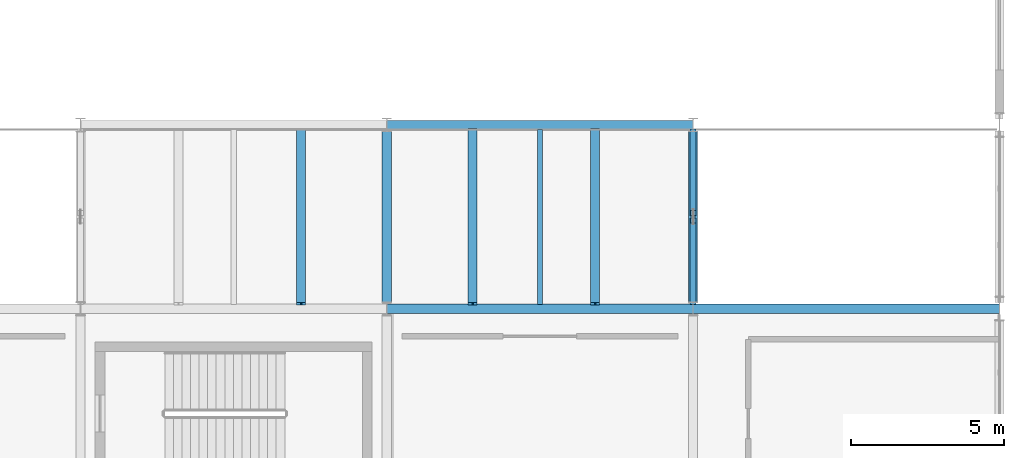
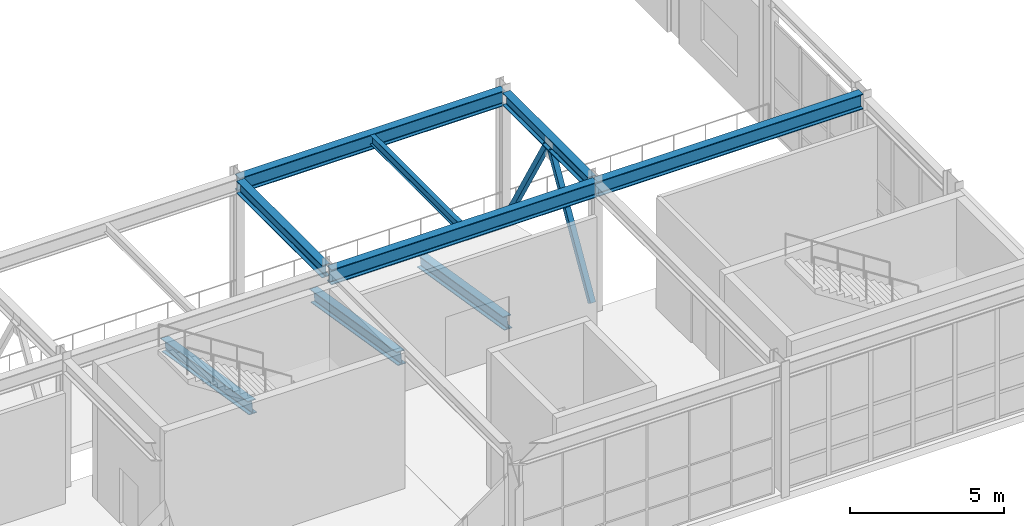
# One storey, part 116 of 210: 9 beams, 2 members.
"""IFC4 building model written with IfcOpenShell, lengths in metres."""

from ifc_helpers import new_model, si_unit, direction, frame, origin, origin_2d, place, context, subcontext, project, spatial, hollow_rectangle, i_section, extrude, material, material_profile, profile_set, type_object, element, save


model = new_model("IFC4")

# Units and contexts
model_context = context("Model", 3, precision=1e-05, world=origin(), true_north=direction((0.0, 1.0)))
body_context = subcontext(model_context, "Body", "Model", "MODEL_VIEW")
ifc_project = project(units=[si_unit("LENGTHUNIT", "METRE"), si_unit("AREAUNIT", "SQUARE_METRE"), si_unit("VOLUMEUNIT", "CUBIC_METRE"), si_unit("PLANEANGLEUNIT", "RADIAN"), si_unit("MASSUNIT", "GRAM", prefix="KILO")], contexts=[model_context])

# Site, building, storey
site_placement = place(None, origin())
site = spatial("IfcSite", under=ifc_project, at=site_placement, CompositionType="ELEMENT")
building_placement = place(site_placement, origin())
building = spatial("IfcBuilding", under=site, at=building_placement, Name="Kaldris Quays Convention Centre", CompositionType="ELEMENT")
storey_placement = place(building_placement, frame((0.0, 0.0, 6.0)))
storey = spatial("IfcBuildingStorey", under=building, at=storey_placement, Name="L01", CompositionType="ELEMENT", Elevation=6.0)

# Beams
ifc_material_1 = material(Name="Steel S355J2", Category="steel")
ifc_material_profile_1 = material_profile(ifc_material_1, i_section(OverallWidth=0.300048828125, OverallDepth=0.60009765625, WebThickness=0.015380859375, FlangeThickness=0.030029296875, FilletRadius=0.027099609375, at=origin_2d()), Name="HEB 600")
ifc_profile_set_1 = profile_set([ifc_material_profile_1], Name="Steel S355J2")
beam_type_1 = type_object("IfcBeamType", Name="STRUCTURAL BEAM BM05", PredefinedType="BEAM", material=ifc_profile_set_1)
beam_1_placement = place(storey_placement, frame((184.0009765625, 68.0, 4.802978515625), z_axis=(1.0, 0.0, 0.0), x_axis=(0.0, 1.0, 0.0)))
element("IfcBeam", 1, at=beam_1_placement, inside=storey, type_object=beam_type_1, Name="L01 Girder BM05 7", PredefinedType="BEAM", context=body_context, shape_type="SweptSolid", body=[
    extrude(i_section(OverallWidth=0.300048828125, OverallDepth=0.60009765625, WebThickness=0.015380859375, FlangeThickness=0.030029296875, FilletRadius=0.027099609375, at=origin_2d()), origin(), (0.0, 0.0, 1.0), 9.998046875),
])
beam_2_placement = place(storey_placement, frame((194.0009765625, 68.0, 4.802978515625), z_axis=(1.0, 0.0, 0.0), x_axis=(0.0, 1.0, 0.0)))
element("IfcBeam", 2, at=beam_2_placement, inside=storey, type_object=beam_type_1, Name="L01 Girder BM05 8", PredefinedType="BEAM", context=body_context, shape_type="SweptSolid", body=[
    extrude(i_section(OverallWidth=0.300048828125, OverallDepth=0.60009765625, WebThickness=0.015380859375, FlangeThickness=0.030029296875, FilletRadius=0.027099609375, at=origin_2d()), origin(), (0.0, 0.0, 1.0), 9.996337890625),
])
beam_3_placement = place(storey_placement, frame((184.0009765625, 74.0, 4.804931640625), z_axis=(1.0, 0.0, 0.0), x_axis=(0.0, 1.0, 0.0)))
element("IfcBeam", 3, at=beam_3_placement, inside=storey, type_object=beam_type_1, Name="L01 Girder BM05 10", PredefinedType="BEAM", context=body_context, shape_type="SweptSolid", body=[
    extrude(i_section(OverallWidth=0.300048828125, OverallDepth=0.60009765625, WebThickness=0.015380859375, FlangeThickness=0.030029296875, FilletRadius=0.027099609375, at=origin_2d()), origin(), (0.0, 0.0, 1.0), 9.998046875),
])
ifc_material_profile_2 = material_profile(ifc_material_1, i_section(OverallWidth=0.300048828125, OverallDepth=0.5, WebThickness=0.014404296875, FlangeThickness=0.028076171875, FilletRadius=0.027099609375, at=origin_2d()), Name="HEB 500")
ifc_profile_set_2 = profile_set([ifc_material_profile_2], Name="Steel S355J2")
beam_type_2 = type_object("IfcBeamType", Name="STRUCTURAL BEAM BM06", PredefinedType="BEAM", material=ifc_profile_set_2)
for number, where, z_axis, x_axis, name in (
    (4, (184.0, 68.218994140625, 4.85498046875), (0.0, 1.0, 0.0), (-1.0, 0.0, 0.0), "L01 Girder BM06 16"),
    (5, (194.0, 68.218994140625, 4.85498046875), (0.0, 1.0, 0.0), (-1.0, 0.0, 0.0), "L01 Girder BM06 18"),
):
    element("IfcBeam", number, at=place(storey_placement, frame(where, z_axis=z_axis, x_axis=x_axis)), inside=storey, type_object=beam_type_2, Name=name, PredefinedType="BEAM", context=body_context, shape_type="SweptSolid", body=[
        extrude(i_section(OverallWidth=0.300048828125, OverallDepth=0.5, WebThickness=0.014404296875, FlangeThickness=0.028076171875, FilletRadius=0.027099609375, at=origin_2d()), origin(), (0.0, 0.0, 1.0), 5.56201171875),
    ])
ifc_material_profile_3 = material_profile(ifc_material_1, i_section(OverallWidth=0.169921875, OverallDepth=0.360107421875, WebThickness=0.008056640625, FlangeThickness=0.0126953125, FilletRadius=0.01806640625, at=origin_2d()), Name="IPE 360")
ifc_profile_set_3 = profile_set([ifc_material_profile_3], Name="Steel S355J2")
beam_type_3 = type_object("IfcBeamType", Name="STRUCTURAL BEAM JT03", PredefinedType="JOIST", material=ifc_profile_set_3)
beam_4_placement = place(storey_placement, frame((189.0, 68.14404296875, 4.923095703125), z_axis=(0.0, 1.0, 0.0), x_axis=(-1.0, 0.0, 0.0)))
element("IfcBeam", 6, at=beam_4_placement, inside=storey, type_object=beam_type_3, Name="L01 Secondary Joist JT03 2", PredefinedType="JOIST", context=body_context, shape_type="SweptSolid", body=[
    extrude(i_section(OverallWidth=0.169921875, OverallDepth=0.360107421875, WebThickness=0.008056640625, FlangeThickness=0.0126953125, FilletRadius=0.01806640625, at=origin_2d()), origin(), (0.0, 0.0, 1.0), 5.7119140625),
])
ifc_material_profile_4 = material_profile(ifc_material_1, i_section(OverallWidth=0.300048828125, OverallDepth=0.5, WebThickness=0.014404296875, FlangeThickness=0.028076171875, FilletRadius=0.027099609375, at=origin_2d()), Name="HEB 500")
ifc_profile_set_4 = profile_set([ifc_material_profile_4], Name="Steel S355J2")
beam_type_4 = type_object("IfcBeamType", Name="STRUCTURAL BEAM RK01", PredefinedType="BEAM", material=ifc_profile_set_4)
for number, where, z_axis, x_axis, name in (
    (7, (181.199951171875, 68.159912109375, 0.449951171875), (0.0, 0.986862166397, -0.161564428428), (-1.0, 0.0, 0.0), "L01 Plenary Middle Tier RAKER Beam 2"),
    (8, (186.800048828125, 68.159912109375, 0.449951171875), (0.0, 0.986862166397, -0.161564428428), (-1.0, 0.0, 0.0), "L01 Plenary Middle Tier RAKER Beam 3"),
    (9, (190.800048828125, 68.159912109375, 0.449951171875), (0.0, 0.986862166397, -0.161564428428), (-1.0, 0.0, 0.0), "L01 Plenary Middle Tier RAKER Beam 4"),
):
    element("IfcBeam", number, at=place(storey_placement, frame(where, z_axis=z_axis, x_axis=x_axis)), inside=storey, type_object=beam_type_4, Name=name, PredefinedType="BEAM", context=body_context, shape_type="SweptSolid", body=[
        extrude(i_section(OverallWidth=0.300048828125, OverallDepth=0.5, WebThickness=0.014404296875, FlangeThickness=0.028076171875, FilletRadius=0.027099609375, at=origin_2d()), origin(), (0.0, 0.0, 1.0), 5.755859375),
    ])

# Members
ifc_material_2 = material(Name="Steel S355J2H", Category="steel")
ifc_material_profile_5 = material_profile(ifc_material_2, hollow_rectangle(XDim=0.199951171875, YDim=0.199951171875, WallThickness=0.010009765625, at=origin_2d()), Name="SHS 200x200x10")
ifc_profile_set_5 = profile_set([ifc_material_profile_5], Name="Steel S355J2H")
member_type = type_object("IfcMemberType", Name="STRUCTURAL MEMBER CB02", PredefinedType="BRACE", material=ifc_profile_set_5)
for number, where, z_axis, x_axis, name in (
    (10, (194.0, 68.219970703125, 0.080078125), (0.0, 0.506522262855, 0.86222688269), (-1.0, 0.0, 0.0), "L01 V2 Concentric Brace CB02 8A"),
    (11, (194.0, 73.780029296875, 0.080078125), (0.0, -0.506522262855, 0.86222688269), (1.0, 0.0, 0.0), "L01 V2 Concentric Brace CB02 8B"),
):
    element("IfcMember", number, at=place(storey_placement, frame(where, z_axis=z_axis, x_axis=x_axis)), inside=storey, type_object=member_type, Name=name, PredefinedType="BRACE", context=body_context, shape_type="SweptSolid", body=[
        extrude(hollow_rectangle(XDim=0.199951171875, YDim=0.199951171875, WallThickness=0.010009765625, at=origin_2d()), origin(), (0.0, 0.0, 1.0), 5.251220703125),
    ])

save(model, "model.ifc")
